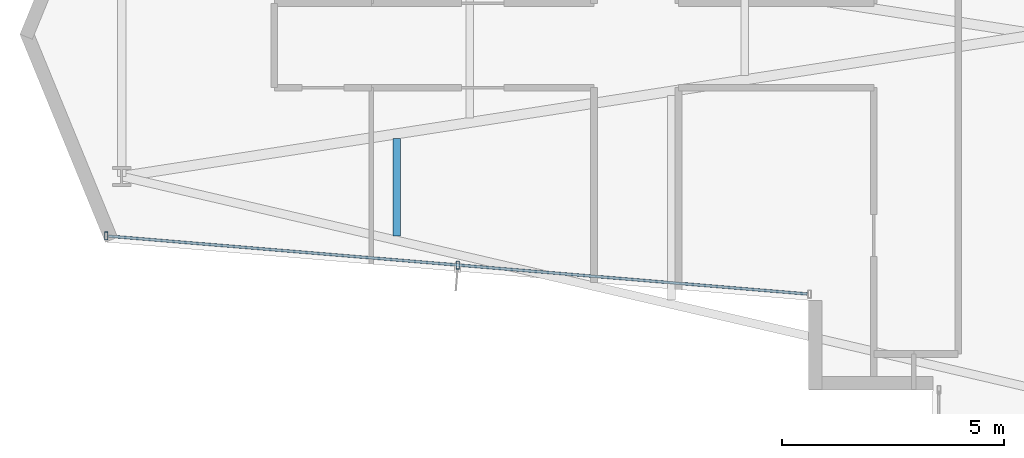
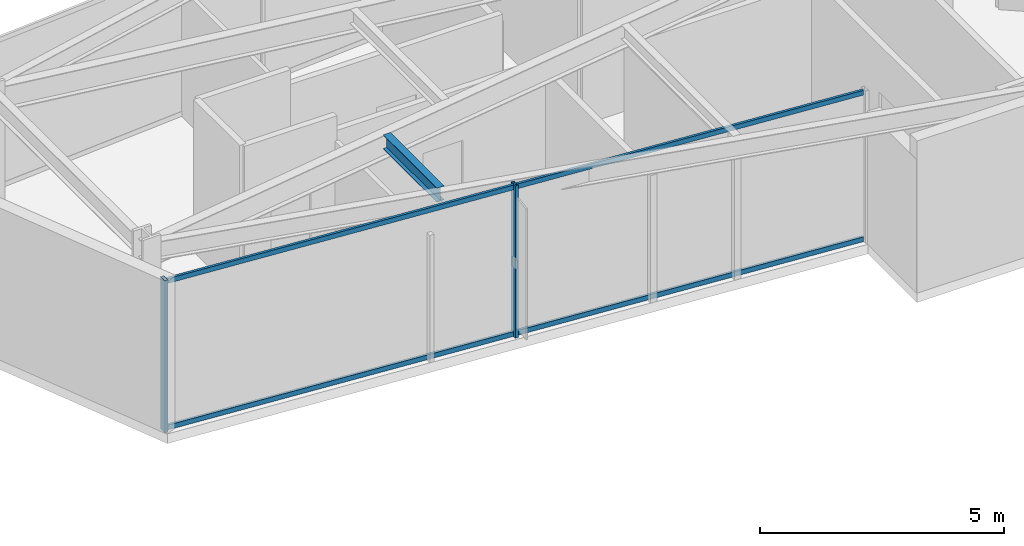
# One storey, part 2 of 25: 4 members, 1 beam, 1 element without a shape of its own.
"""IFC4 building model written with IfcOpenShell, lengths in metres."""

from ifc_helpers import new_model, si_unit, direction, frame, origin, origin_2d, place, context, subcontext, project, spatial, hollow_rectangle, i_section, extrude, material, layer, layer_set, material_profile, profile_set, type_object, element, aggregate, save


model = new_model("IFC4")

# Units and contexts
model_context = context("Model", 3, precision=1e-05, world=origin(), true_north=direction((0.0, 1.0)))
body_context = subcontext(model_context, "Body", "Model", "MODEL_VIEW")
ifc_project = project(units=[si_unit("LENGTHUNIT", "METRE"), si_unit("AREAUNIT", "SQUARE_METRE"), si_unit("VOLUMEUNIT", "CUBIC_METRE"), si_unit("PLANEANGLEUNIT", "RADIAN"), si_unit("MASSUNIT", "GRAM", prefix="KILO")], contexts=[model_context])

# Site, building, storey
site_placement = place(None, origin())
site = spatial("IfcSite", under=ifc_project, at=site_placement, CompositionType="ELEMENT")
building_placement = place(site_placement, origin())
building = spatial("IfcBuilding", under=site, at=building_placement, Name="Veymaron Broadcast Tower", CompositionType="ELEMENT")
storey_placement = place(building_placement, frame((0.0, 0.0, 120.89990234375)))
storey = spatial("IfcBuildingStorey", under=building, at=storey_placement, Name="L27", CompositionType="ELEMENT", Elevation=120.89990234375)

# Beam
ifc_material_1 = material(Name="Structural steel ASTM A992 Gr 50", Category="steel")
ifc_material_profile_1 = material_profile(ifc_material_1, i_section(OverallWidth=0.1708984375, OverallDepth=0.35498046875, WebThickness=0.007080078125, FlangeThickness=0.01171875, at=origin_2d()), Name="W360X51")
ifc_profile_set_1 = profile_set([ifc_material_profile_1], Name="Structural steel ASTM A992 Gr 50")
beam_type = type_object("IfcBeamType", Name="BM-JS2", PredefinedType="JOIST", material=ifc_profile_set_1)
beam_placement = place(storey_placement, frame((16.751953125, 19.4599609375, 3.632568359375), z_axis=(0.0, 1.0, 0.0), x_axis=(-1.0, 0.0, 0.0)))
element("IfcBeam", 1, at=beam_placement, inside=storey, type_object=beam_type, Name="L27 Arm-A secondary joist 1S", PredefinedType="JOIST", context=body_context, shape_type="SweptSolid", body=[
    extrude(i_section(OverallWidth=0.1708984375, OverallDepth=0.35498046875, WebThickness=0.007080078125, FlangeThickness=0.01171875, at=origin_2d()), origin(), (0.0, 0.0, 1.0), 2.199951171875),
])

# Curtain wall, members
ifc_material_2 = material(Name="Anodised aluminium AA 6063-T6 and laminated low-E dark glass", Category="aluminium")
ifc_layer = layer(ifc_material_2, 0.179931640625)
ifc_layer_set = layer_set([ifc_layer], Name="Anodised aluminium AA 6063-T6 and laminated low-E dark glass")
curtain_wall_type = type_object("IfcCurtainWallType", Name="CW-SYS-03", PredefinedType="NOTDEFINED", material=ifc_layer_set)
curtain_wall_placement = place(storey_placement, origin())
curtain_wall = element("IfcCurtainWall", 2, at=curtain_wall_placement, inside=storey, type_object=curtain_wall_type, Name="L27 dark-glass curtain wall CW-L27-E14-1", PredefinedType="NOTDEFINED")
ifc_material_3 = material(Name="Anodised aluminium AA 6063-T6", Category="aluminium")
ifc_material_profile_2 = material_profile(ifc_material_3, hollow_rectangle(XDim=0.074951171875, YDim=0.179931640625, WallThickness=0.0048828125, at=origin_2d()), Name="AL180X75X5")
ifc_profile_set_2 = profile_set([ifc_material_profile_2], Name="Anodised aluminium AA 6063-T6")
member_type_1 = type_object("IfcMemberType", Name="CW-MUL-02", PredefinedType="MULLION", material=ifc_profile_set_2)
member_1_placement = place(storey_placement, frame((10.211669921875, 19.4609375, 0.0), z_axis=(0.0, 0.0, 1.0), x_axis=(1.0, 0.0, 0.0)))
member_1 = element("IfcMember", 3, at=member_1_placement, type_object=member_type_1, Name="CW-L27-E14-1 mullion 0", PredefinedType="MULLION", context=body_context, shape_type="SweptSolid", body=[
    extrude(hollow_rectangle(XDim=0.074951171875, YDim=0.179931640625, WallThickness=0.0048828125, at=origin_2d()), origin(), (0.0, 0.0, 1.0), 3.81005859375),
])
member_2_placement = place(storey_placement, frame((18.131591796875, 18.804931640625, 0.0), z_axis=(0.0, 0.0, 1.0), x_axis=(1.0, 0.0, 0.0)))
member_2 = element("IfcMember", 4, at=member_2_placement, type_object=member_type_1, Name="CW-L27-E14-1 mullion 1", PredefinedType="MULLION", context=body_context, shape_type="SweptSolid", body=[
    extrude(hollow_rectangle(XDim=0.074951171875, YDim=0.179931640625, WallThickness=0.0048828125, at=origin_2d()), origin(), (0.0, 0.0, 1.0), 3.81005859375),
])
ifc_material_profile_3 = material_profile(ifc_material_3, hollow_rectangle(XDim=0.06005859375, YDim=0.1201171875, WallThickness=0.00390625, at=origin_2d()), Name="AL120X60X4")
ifc_profile_set_3 = profile_set([ifc_material_profile_3], Name="Anodised aluminium AA 6063-T6")
member_type_2 = type_object("IfcMemberType", Name="CW-TRN-02", PredefinedType="USERDEFINED", material=ifc_profile_set_3)
member_3_placement = place(storey_placement, frame((10.261474609375, 19.456787109375, 0.070068359375), z_axis=(0.996588692575, -0.082528648555, 0.0), x_axis=(0.082528648555, 0.996588692575, 0.0)))
member_3 = element("IfcMember", 5, at=member_3_placement, type_object=member_type_2, Name="CW-L27-E14-1 transom B", ObjectType="TRANSOM", PredefinedType="USERDEFINED", context=body_context, shape_type="SweptSolid", body=[
    extrude(hollow_rectangle(XDim=0.06005859375, YDim=0.1201171875, WallThickness=0.00390625, at=origin_2d()), origin(), (0.0, 0.0, 1.0), 15.794189453125),
])
member_4_placement = place(storey_placement, frame((10.261474609375, 19.456787109375, 3.739990234375), z_axis=(0.996588692575, -0.082528648555, 0.0), x_axis=(0.082528648555, 0.996588692575, 0.0)))
member_4 = element("IfcMember", 6, at=member_4_placement, type_object=member_type_2, Name="CW-L27-E14-1 transom T", ObjectType="TRANSOM", PredefinedType="USERDEFINED", context=body_context, shape_type="SweptSolid", body=[
    extrude(hollow_rectangle(XDim=0.06005859375, YDim=0.1201171875, WallThickness=0.00390625, at=origin_2d()), origin(), (0.0, 0.0, 1.0), 15.794189453125),
])
aggregate(curtain_wall, [member_1, member_2, member_3, member_4])

save(model, "model.ifc")
